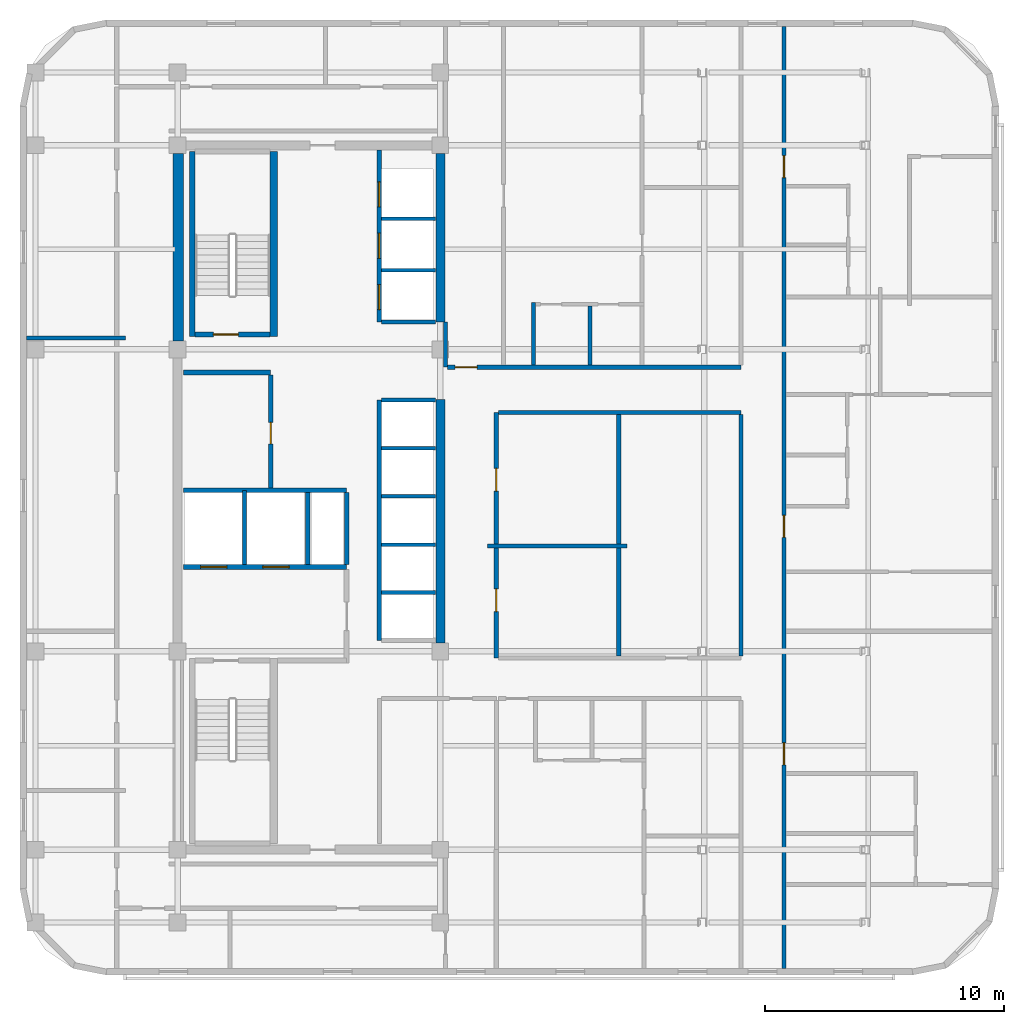
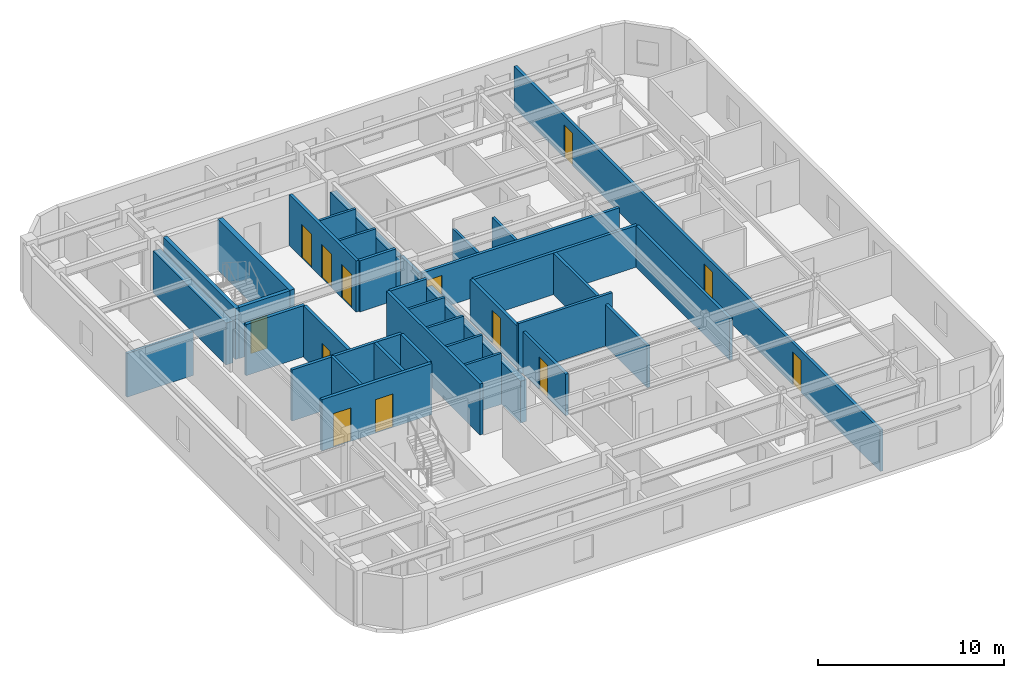
# One storey, part 4 of 10: 34 walls, 13 doors, 13 openings.
"""IFC4 building model written with IfcOpenShell, lengths in metres."""

from ifc_helpers import new_model, si_unit, direction, frame, frame_2d, origin, place, context, subcontext, project, spatial, rectangle, extrude, material, layer, layer_set, type_object, element, fill, save


model = new_model("IFC4")

# Units and contexts
model_context = context("Model", 3, precision=1e-05, world=origin(), true_north=direction((0.0, 1.0)))
body_context = subcontext(model_context, "Body", "Model", "MODEL_VIEW")
ifc_project = project(units=[si_unit("LENGTHUNIT", "METRE"), si_unit("AREAUNIT", "SQUARE_METRE"), si_unit("VOLUMEUNIT", "CUBIC_METRE"), si_unit("PLANEANGLEUNIT", "RADIAN"), si_unit("MASSUNIT", "GRAM", prefix="KILO")], contexts=[model_context])

# Site, building, storey
site_placement = place(None, origin())
site = spatial("IfcSite", under=ifc_project, at=site_placement, CompositionType="ELEMENT")
building_placement = place(site_placement, origin())
building = spatial("IfcBuilding", under=site, at=building_placement, Name="Ochreholt Gables", CompositionType="ELEMENT")
storey_placement = place(building_placement, frame((0.0, 0.0, 177.60009765625)))
storey = spatial("IfcBuildingStorey", under=building, at=storey_placement, Name="L46", CompositionType="ELEMENT", Elevation=177.60009765625)

# Walls
ifc_material_1 = material(Name="Concrete 50 MPa", Category="concrete")
ifc_layer_1 = layer(ifc_material_1, 0.3798828125, Name="Concrete 50 MPa")
ifc_layer_set_1 = layer_set([ifc_layer_1], Name="Concrete 50 MPa")
wall_type_1 = type_object("IfcWallType", Name="WALL-CSW-380", PredefinedType="SHEAR", material=ifc_layer_set_1)
wall_1_placement = place(storey_placement, frame((35.2099609375, 17.89990234375, 0.0), z_axis=(0.0, 0.0, 1.0), x_axis=(0.0, 1.0, 0.0)))
element("IfcWall", 1, at=wall_1_placement, inside=storey, type_object=wall_type_1, Name="L46 Core Central-East Shear Wall", PredefinedType="SHEAR", context=body_context, shape_type="SweptSolid", body=[
    extrude(rectangle(XDim=10.2001953125, YDim=0.3798828125, at=frame_2d((5.10009765625, 0.0))), origin(), (0.0, 0.0, 1.0), 2.747802734375),
])
wall_2_placement = place(storey_placement, frame((35.2099609375, 31.35009765625, 0.0), z_axis=(0.0, 0.0, 1.0), x_axis=(0.0, 1.0, 0.0)))
element("IfcWall", 2, at=wall_2_placement, inside=storey, type_object=wall_type_1, Name="L46 Core North-East Shear Wall", PredefinedType="SHEAR", context=body_context, shape_type="SweptSolid", body=[
    extrude(rectangle(XDim=7.0498046875, YDim=0.3798828125, at=frame_2d((3.52490234375, 0.0))), origin(), (0.0, 0.0, 1.0), 2.747802734375),
])
ifc_material_2 = material(Name="Concrete 60 MPa", Category="concrete")
ifc_layer_2 = layer(ifc_material_2, 0.449951171875, Name="Concrete 60 MPa")
ifc_layer_set_2 = layer_set([ifc_layer_2], Name="Concrete 60 MPa")
wall_type_2 = type_object("IfcWallType", Name="WALL-CSW-450", PredefinedType="SHEAR", material=ifc_layer_set_2)
wall_3_placement = place(storey_placement, frame((24.22509765625, 30.550048828125, 0.0), z_axis=(0.0, 0.0, 1.0), x_axis=(0.0, 1.0, 0.0)))
element("IfcWall", 3, at=wall_3_placement, inside=storey, type_object=wall_type_2, Name="L46 Core West Shear Wall WN", PredefinedType="SHEAR", context=body_context, shape_type="SweptSolid", body=[
    extrude(rectangle(XDim=7.849853515625, YDim=0.449951171875, at=frame_2d((3.9248046875, 0.0))), origin(), (0.0, 0.0, 1.0), 2.747802734375),
])

# Wall, openings, doors
ifc_material_3 = material(Name="Concrete 40 MPa", Category="concrete")
ifc_layer_3 = layer(ifc_material_3, 0.199951171875, Name="Concrete 40 MPa")
ifc_layer_set_3 = layer_set([ifc_layer_3], Name="Concrete 40 MPa")
wall_type_3 = type_object("IfcWallType", Name="WALL-INT-CF200", PredefinedType="STANDARD", material=ifc_layer_set_3)
wall_4_placement = place(storey_placement, frame((24.449951171875, 21.090087890625, 0.0), z_axis=(0.0, 0.0, 1.0), x_axis=(1.0, 0.0, 0.0)))
wall_4 = element("IfcWall", 4, at=wall_4_placement, inside=storey, type_object=wall_type_3, Name="L46 Interior Wall WI-FFN-L46", PredefinedType="STANDARD", context=body_context, shape_type="SweptSolid", body=[
    extrude(rectangle(XDim=6.830078125, YDim=0.199951171875, at=frame_2d((3.4150390625, 0.0))), origin(), (0.0, 0.0, 1.0), 3.35986328125),
])
opening_1_placement = place(wall_4_placement, frame((0.719970703125, 0.0, 0.0)))
opening_1 = element("IfcOpeningElement", 5, at=opening_1_placement, cuts=wall_4, Name="Opening LD-FF", PredefinedType="OPENING", context=body_context, shape_type="SweptSolid", body=[
    extrude(rectangle(XDim=1.10009765625, YDim=2.199951171875, at=frame_2d((0.550048828125, 1.10009765625))), frame((0.0, 0.10986328125, 0.0), z_axis=(0.0, -1.0, 0.0), x_axis=(1.0, 0.0, 0.0)), (0.0, 0.0, 1.0), 0.219970703125),
])
opening_2_placement = place(wall_4_placement, frame((3.320068359375, 0.0, 0.0)))
opening_2 = element("IfcOpeningElement", 6, at=opening_2_placement, cuts=wall_4, Name="Opening LD-FF", PredefinedType="OPENING", context=body_context, shape_type="SweptSolid", body=[
    extrude(rectangle(XDim=1.10009765625, YDim=2.199951171875, at=frame_2d((0.550048828125, 1.10009765625))), frame((0.0, 0.10986328125, 0.0), z_axis=(0.0, -1.0, 0.0), x_axis=(1.0, 0.0, 0.0)), (0.0, 0.0, 1.0), 0.219970703125),
])
ifc_material_4 = material(Name="Stainless Steel", Category="steel")
door_type_1 = type_object("IfcDoorType", Name="DR-LFT-FF1100", OperationType="NOTDEFINED", PredefinedType="DOOR", material=ifc_material_4)
door_1_placement = place(opening_1_placement, origin())
door_1 = element("IfcDoor", 7, at=door_1_placement, inside=storey, type_object=door_type_1, Name="L46 Door LD-FF1-L46", OperationType="SLIDING_TO_LEFT", OverallHeight=2.199951171875, OverallWidth=1.10009765625, PredefinedType="DOOR", context=body_context, shape_type="SweptSolid", body=[
    extrude(rectangle(XDim=1.10009765625, YDim=2.199951171875, at=frame_2d((0.550048828125, 1.10009765625))), frame((0.0, 0.02490234375, 0.0), z_axis=(0.0, -1.0, 0.0), x_axis=(1.0, 0.0, 0.0)), (0.0, 0.0, 1.0), 0.050048828125),
])
fill(opening_1, door_1)
door_2_placement = place(opening_2_placement, origin())
door_2 = element("IfcDoor", 8, at=door_2_placement, inside=storey, type_object=door_type_1, Name="L46 Door LD-FF2-L46", OperationType="SLIDING_TO_LEFT", OverallHeight=2.199951171875, OverallWidth=1.10009765625, PredefinedType="DOOR", context=body_context, shape_type="SweptSolid", body=[
    extrude(rectangle(XDim=1.10009765625, YDim=2.199951171875, at=frame_2d((0.550048828125, 1.10009765625))), frame((0.0, 0.02490234375, 0.0), z_axis=(0.0, -1.0, 0.0), x_axis=(1.0, 0.0, 0.0)), (0.0, 0.0, 1.0), 0.050048828125),
])
fill(opening_2, door_2)

# Wall
wall_5_placement = place(storey_placement, frame((24.449951171875, 29.239990234375, 0.0), z_axis=(0.0, 0.0, 1.0), x_axis=(1.0, 0.0, 0.0)))
element("IfcWall", 9, at=wall_5_placement, inside=storey, type_object=wall_type_3, Name="L46 Interior Wall WI-SRVN-L46", PredefinedType="STANDARD", context=body_context, shape_type="SweptSolid", body=[
    extrude(rectangle(XDim=3.650146484375, YDim=0.199951171875, at=frame_2d((1.8251953125, 0.0))), origin(), (0.0, 0.0, 1.0), 3.35986328125),
])

# Wall, opening, door
wall_6_placement = place(storey_placement, frame((28.10009765625, 24.389892578125, 0.0), z_axis=(0.0, 0.0, 1.0), x_axis=(0.0, 1.0, 0.0)))
wall_6 = element("IfcWall", 10, at=wall_6_placement, inside=storey, type_object=wall_type_3, Name="L46 Interior Wall WI-SRVE-L46", PredefinedType="STANDARD", context=body_context, shape_type="SweptSolid", body=[
    extrude(rectangle(XDim=4.75, YDim=0.199951171875, at=frame_2d((2.375, 0.0))), origin(), (0.0, 0.0, 1.0), 3.35986328125),
])
opening_3_placement = place(wall_6_placement, frame((1.860107421875, 0.0, 0.0)))
opening_3 = element("IfcOpeningElement", 11, at=opening_3_placement, cuts=wall_6, Name="Opening D-SV1", PredefinedType="OPENING", context=body_context, shape_type="SweptSolid", body=[
    extrude(rectangle(XDim=0.89990234375, YDim=2.10009765625, at=frame_2d((0.449951171875, 1.050048828125))), frame((0.0, 0.10986328125, 0.0), z_axis=(0.0, -1.0, 0.0), x_axis=(1.0, 0.0, 0.0)), (0.0, 0.0, 1.0), 0.219970703125),
])
ifc_material_5 = material(Name="Hollow Metal Steel", Category="steel")
door_type_2 = type_object("IfcDoorType", Name="DR-INT-SRV900", OperationType="NOTDEFINED", PredefinedType="DOOR", material=ifc_material_5)
door_3_placement = place(opening_3_placement, origin())
door_3 = element("IfcDoor", 12, at=door_3_placement, inside=storey, type_object=door_type_2, Name="L46 Door D-SRV1-L46", OperationType="SINGLE_SWING_LEFT", OverallHeight=2.10009765625, OverallWidth=0.89990234375, PredefinedType="DOOR", context=body_context, shape_type="SweptSolid", body=[
    extrude(rectangle(XDim=0.89990234375, YDim=2.10009765625, at=frame_2d((0.449951171875, 1.050048828125))), frame((0.0, 0.02490234375, 0.0), z_axis=(0.0, -1.0, 0.0), x_axis=(1.0, 0.0, 0.0)), (0.0, 0.0, 1.0), 0.050048828125),
])
fill(opening_3, door_3)

# Wall, openings, doors
ifc_material_6 = material(Name="Fire-Rated Gypsum Acoustic Partition", Category="gypsum")
ifc_layer_4 = layer(ifc_material_6, 0.179931640625, Name="Fire-Rated Gypsum Acoustic Partition")
ifc_layer_set_4 = layer_set([ifc_layer_4], Name="Fire-Rated Gypsum Acoustic Partition")
wall_type_4 = type_object("IfcWallType", Name="WALL-INT-CR180", PredefinedType="STANDARD", material=ifc_layer_set_4)
wall_7_placement = place(storey_placement, frame((37.550048828125, 17.280029296875, 0.0), z_axis=(0.0, 0.0, 1.0), x_axis=(0.0, 1.0, 0.0)))
wall_7 = element("IfcWall", 13, at=wall_7_placement, inside=storey, type_object=wall_type_4, Name="L46 Interior Wall WI-C2EM-L46", PredefinedType="STANDARD", context=body_context, shape_type="SweptSolid", body=[
    extrude(rectangle(XDim=10.280029296875, YDim=0.179931640625, at=frame_2d((5.14013671875, 0.0))), origin(), (0.0, 0.0, 1.0), 2.72998046875),
])
opening_4_placement = place(wall_7_placement, frame((1.93994140625, 0.0, 0.0)))
opening_4 = element("IfcOpeningElement", 14, at=opening_4_placement, cuts=wall_7, Name="Opening D-GN1", PredefinedType="OPENING", context=body_context, shape_type="SweptSolid", body=[
    extrude(rectangle(XDim=0.949951171875, YDim=2.14990234375, at=frame_2d((0.47509765625, 1.074951171875))), frame((0.0, 0.099853515625, 0.0), z_axis=(0.0, -1.0, 0.0), x_axis=(1.0, 0.0, 0.0)), (0.0, 0.0, 1.0), 0.199951171875),
])
opening_5_placement = place(wall_7_placement, frame((6.989990234375, 0.0, 0.0)))
opening_5 = element("IfcOpeningElement", 15, at=opening_5_placement, cuts=wall_7, Name="Opening D-GN1", PredefinedType="OPENING", context=body_context, shape_type="SweptSolid", body=[
    extrude(rectangle(XDim=0.949951171875, YDim=2.14990234375, at=frame_2d((0.47509765625, 1.074951171875))), frame((0.0, 0.099853515625, 0.0), z_axis=(0.0, -1.0, 0.0), x_axis=(1.0, 0.0, 0.0)), (0.0, 0.0, 1.0), 0.199951171875),
])
ifc_material_7 = material(Name="Engineered Oak Timber", Category="wood")
door_type_3 = type_object("IfcDoorType", Name="DR-INT-GEN950", OperationType="NOTDEFINED", PredefinedType="DOOR", material=ifc_material_7)
door_4_placement = place(opening_4_placement, origin())
door_4 = element("IfcDoor", 16, at=door_4_placement, inside=storey, type_object=door_type_3, Name="L46 Door D-U-L46M1A-ENT", OperationType="SINGLE_SWING_RIGHT", OverallHeight=2.14990234375, OverallWidth=0.949951171875, PredefinedType="DOOR", context=body_context, shape_type="SweptSolid", body=[
    extrude(rectangle(XDim=0.949951171875, YDim=2.14990234375, at=frame_2d((0.47509765625, 1.074951171875))), frame((0.0, 0.02490234375, 0.0), z_axis=(0.0, -1.0, 0.0), x_axis=(1.0, 0.0, 0.0)), (0.0, 0.0, 1.0), 0.050048828125),
])
fill(opening_4, door_4)
door_5_placement = place(opening_5_placement, origin())
door_5 = element("IfcDoor", 17, at=door_5_placement, inside=storey, type_object=door_type_3, Name="L46 Door D-U-L46M1B-ENT", OperationType="SINGLE_SWING_LEFT", OverallHeight=2.14990234375, OverallWidth=0.949951171875, PredefinedType="DOOR", context=body_context, shape_type="SweptSolid", body=[
    extrude(rectangle(XDim=0.949951171875, YDim=2.14990234375, at=frame_2d((0.47509765625, 1.074951171875))), frame((0.0, 0.02490234375, 0.0), z_axis=(0.0, -1.0, 0.0), x_axis=(1.0, 0.0, 0.0)), (0.0, 0.0, 1.0), 0.050048828125),
])
fill(opening_5, door_5)

# Walls
wall_8_placement = place(storey_placement, frame((37.639892578125, 27.56005859375, 0.0), z_axis=(0.0, 0.0, 1.0), x_axis=(1.0, 0.0, 0.0)))
element("IfcWall", 18, at=wall_8_placement, inside=storey, type_object=wall_type_4, Name="L46 Interior Wall WI-C2SN1-L46", PredefinedType="STANDARD", context=body_context, shape_type="SweptSolid", body=[
    extrude(rectangle(XDim=10.16015625, YDim=0.179931640625, at=frame_2d((5.080078125, 0.0))), origin(), (0.0, 0.0, 1.0), 2.72998046875),
])
wall_9_placement = place(storey_placement, frame((35.419921875, 29.4599609375, 0.0), z_axis=(0.0, 0.0, 1.0), x_axis=(0.0, 1.0, 0.0)))
element("IfcWall", 19, at=wall_9_placement, inside=storey, type_object=wall_type_4, Name="L46 Interior Wall WI-C2NCL-L46", PredefinedType="STANDARD", context=body_context, shape_type="SweptSolid", body=[
    extrude(rectangle(XDim=1.89013671875, YDim=0.179931640625, at=frame_2d((0.945068359375, 0.0))), origin(), (0.0, 0.0, 1.0), 2.72998046875),
])

# Wall, opening, door
wall_10_placement = place(storey_placement, frame((35.510009765625, 29.4599609375, 0.0), z_axis=(0.0, 0.0, 1.0), x_axis=(1.0, 0.0, 0.0)))
wall_10 = element("IfcWall", 20, at=wall_10_placement, inside=storey, type_object=wall_type_4, Name="L46 Interior Wall WI-C2SN2-L46", PredefinedType="STANDARD", context=body_context, shape_type="SweptSolid", body=[
    extrude(rectangle(XDim=12.2900390625, YDim=0.179931640625, at=frame_2d((6.14501953125, 0.0))), origin(), (0.0, 0.0, 1.0), 2.72998046875),
])
opening_6_placement = place(wall_10_placement, frame((0.320068359375, 0.0, 0.0)))
opening_6 = element("IfcOpeningElement", 21, at=opening_6_placement, cuts=wall_10, Name="Opening D-UN1", PredefinedType="OPENING", context=body_context, shape_type="SweptSolid", body=[
    extrude(rectangle(XDim=0.919921875, YDim=2.14990234375, at=frame_2d((0.4599609375, 1.074951171875))), frame((0.0, 0.099853515625, 0.0), z_axis=(0.0, -1.0, 0.0), x_axis=(1.0, 0.0, 0.0)), (0.0, 0.0, 1.0), 0.199951171875),
])
door_type_4 = type_object("IfcDoorType", Name="DR-INT-UNT920", OperationType="NOTDEFINED", PredefinedType="DOOR", material=ifc_material_7)
door_6_placement = place(opening_6_placement, origin())
door_6 = element("IfcDoor", 22, at=door_6_placement, inside=storey, type_object=door_type_4, Name="L46 Door D-U-L46N1-ENT", OperationType="SINGLE_SWING_LEFT", OverallHeight=2.14990234375, OverallWidth=0.919921875, PredefinedType="DOOR", context=body_context, shape_type="SweptSolid", body=[
    extrude(rectangle(XDim=0.919921875, YDim=2.14990234375, at=frame_2d((0.4599609375, 1.074951171875))), frame((0.0, 0.02490234375, 0.0), z_axis=(0.0, -1.0, 0.0), x_axis=(1.0, 0.0, 0.0)), (0.0, 0.0, 1.0), 0.050048828125),
])
fill(opening_6, door_6)

# Wall, openings, doors
wall_11_placement = place(storey_placement, frame((49.60009765625, 4.280029296875, 0.0), z_axis=(0.0, 0.0, 1.0), x_axis=(0.0, 1.0, 0.0)))
wall_11 = element("IfcWall", 23, at=wall_11_placement, inside=storey, type_object=wall_type_4, Name="L46 Interior Wall WI-C2FEG-L46", PredefinedType="STANDARD", context=body_context, shape_type="SweptSolid", body=[
    extrude(rectangle(XDim=39.43994140625, YDim=0.179931640625, at=frame_2d((19.719970703125, 0.0))), origin(), (0.0, 0.0, 1.0), 2.72998046875),
])
opening_7_placement = place(wall_11_placement, frame((8.52001953125, 0.0, 0.0)))
opening_7 = element("IfcOpeningElement", 24, at=opening_7_placement, cuts=wall_11, Name="Opening D-UN1", PredefinedType="OPENING", context=body_context, shape_type="SweptSolid", body=[
    extrude(rectangle(XDim=0.919921875, YDim=2.14990234375, at=frame_2d((0.4599609375, 1.074951171875))), frame((0.0, 0.099853515625, 0.0), z_axis=(0.0, -1.0, 0.0), x_axis=(1.0, 0.0, 0.0)), (0.0, 0.0, 1.0), 0.199951171875),
])
opening_8_placement = place(wall_11_placement, frame((18.051513671875, 0.0, 0.0)))
opening_8 = element("IfcOpeningElement", 25, at=opening_8_placement, cuts=wall_11, Name="Opening D-UN1", PredefinedType="OPENING", context=body_context, shape_type="SweptSolid", body=[
    extrude(rectangle(XDim=0.919921875, YDim=2.14990234375, at=frame_2d((0.4599609375, 1.074951171875))), frame((0.0, 0.099853515625, 0.0), z_axis=(0.0, -1.0, 0.0), x_axis=(1.0, 0.0, 0.0)), (0.0, 0.0, 1.0), 0.199951171875),
])
opening_9_placement = place(wall_11_placement, frame((33.1201171875, 0.0, 0.0)))
opening_9 = element("IfcOpeningElement", 26, at=opening_9_placement, cuts=wall_11, Name="Opening D-UN1", PredefinedType="OPENING", context=body_context, shape_type="SweptSolid", body=[
    extrude(rectangle(XDim=0.919921875, YDim=2.14990234375, at=frame_2d((0.4599609375, 1.074951171875))), frame((0.0, 0.099853515625, 0.0), z_axis=(0.0, -1.0, 0.0), x_axis=(1.0, 0.0, 0.0)), (0.0, 0.0, 1.0), 0.199951171875),
])
door_7_placement = place(opening_7_placement, origin())
door_7 = element("IfcDoor", 27, at=door_7_placement, inside=storey, type_object=door_type_4, Name="L46 Door D-U-L46FE1-ENT", OperationType="SINGLE_SWING_RIGHT", OverallHeight=2.14990234375, OverallWidth=0.919921875, PredefinedType="DOOR", context=body_context, shape_type="SweptSolid", body=[
    extrude(rectangle(XDim=0.919921875, YDim=2.14990234375, at=frame_2d((0.4599609375, 1.074951171875))), frame((0.0, 0.02490234375, 0.0), z_axis=(0.0, -1.0, 0.0), x_axis=(1.0, 0.0, 0.0)), (0.0, 0.0, 1.0), 0.050048828125),
])
fill(opening_7, door_7)
door_8_placement = place(opening_8_placement, origin())
door_8 = element("IfcDoor", 28, at=door_8_placement, inside=storey, type_object=door_type_4, Name="L46 Door D-U-L46FE2-ENT", OperationType="SINGLE_SWING_LEFT", OverallHeight=2.14990234375, OverallWidth=0.919921875, PredefinedType="DOOR", context=body_context, shape_type="SweptSolid", body=[
    extrude(rectangle(XDim=0.919921875, YDim=2.14990234375, at=frame_2d((0.4599609375, 1.074951171875))), frame((0.0, 0.02490234375, 0.0), z_axis=(0.0, -1.0, 0.0), x_axis=(1.0, 0.0, 0.0)), (0.0, 0.0, 1.0), 0.050048828125),
])
fill(opening_8, door_8)
door_9_placement = place(opening_9_placement, origin())
door_9 = element("IfcDoor", 29, at=door_9_placement, inside=storey, type_object=door_type_4, Name="L46 Door D-U-L46FE3-ENT", OperationType="SINGLE_SWING_RIGHT", OverallHeight=2.14990234375, OverallWidth=0.919921875, PredefinedType="DOOR", context=body_context, shape_type="SweptSolid", body=[
    extrude(rectangle(XDim=0.919921875, YDim=2.14990234375, at=frame_2d((0.4599609375, 1.074951171875))), frame((0.0, 0.02490234375, 0.0), z_axis=(0.0, -1.0, 0.0), x_axis=(1.0, 0.0, 0.0)), (0.0, 0.0, 1.0), 0.050048828125),
])
fill(opening_9, door_9)

# Walls
wall_12_placement = place(storey_placement, frame((47.800048828125, 17.3701171875, 0.0), z_axis=(0.0, 0.0, 1.0), x_axis=(0.0, 1.0, 0.0)))
element("IfcWall", 30, at=wall_12_placement, inside=storey, type_object=wall_type_4, Name="L46 Interior Wall WI-C2FEGW2-L46", PredefinedType="STANDARD", context=body_context, shape_type="SweptSolid", body=[
    extrude(rectangle(XDim=10.099853515625, YDim=0.179931640625, at=frame_2d((5.0498046875, 0.0))), origin(), (0.0, 0.0, 1.0), 2.72998046875),
])
ifc_material_8 = material(Name="Double-Stud Acoustic Demising Wall", Category="gypsum")
ifc_layer_5 = layer(ifc_material_8, 0.179931640625, Name="Double-Stud Acoustic Demising Wall")
ifc_layer_set_5 = layer_set([ifc_layer_5], Name="Double-Stud Acoustic Demising Wall")
wall_type_5 = type_object("IfcWallType", Name="WALL-INT-DM180", PredefinedType="PARTITIONING", material=ifc_layer_set_5)
wall_13_placement = place(storey_placement, frame((42.675048828125, 17.3701171875, 0.0), z_axis=(0.0, 0.0, 1.0), x_axis=(0.0, 1.0, 0.0)))
element("IfcWall", 31, at=wall_13_placement, inside=storey, type_object=wall_type_5, Name="L46 Interior Wall WI-C2UDM-L46", PredefinedType="PARTITIONING", context=body_context, shape_type="SweptSolid", body=[
    extrude(rectangle(XDim=10.099853515625, YDim=0.179931640625, at=frame_2d((5.0498046875, 0.0))), origin(), (0.0, 0.0, 1.0), 2.72998046875),
])
ifc_material_9 = material(Name="Moisture-Resistant Plumbing Chase Wall", Category="gypsum")
ifc_layer_6 = layer(ifc_material_9, 0.159912109375, Name="Moisture-Resistant Plumbing Chase Wall")
ifc_layer_set_6 = layer_set([ifc_layer_6], Name="Moisture-Resistant Plumbing Chase Wall")
wall_type_6 = type_object("IfcWallType", Name="WALL-INT-PL160", PredefinedType="PLUMBINGWALL", material=ifc_layer_set_6)
wall_14_placement = place(storey_placement, frame((39.110107421875, 29.550048828125, 0.0), z_axis=(0.0, 0.0, 1.0), x_axis=(0.0, 1.0, 0.0)))
element("IfcWall", 32, at=wall_14_placement, inside=storey, type_object=wall_type_6, Name="L46 Interior Wall WU-L46N1-FY", PredefinedType="PLUMBINGWALL", context=body_context, shape_type="SweptSolid", body=[
    extrude(rectangle(XDim=2.625, YDim=0.159912109375, at=frame_2d((1.3125, 0.0))), origin(), (0.0, 0.0, 1.0), 2.72998046875),
])
wall_15_placement = place(storey_placement, frame((41.47607421875, 29.550048828125, 0.0), z_axis=(0.0, 0.0, 1.0), x_axis=(0.0, 1.0, 0.0)))
element("IfcWall", 33, at=wall_15_placement, inside=storey, type_object=wall_type_6, Name="L46 Interior Wall WU-L46N1-WK", PredefinedType="PLUMBINGWALL", context=body_context, shape_type="SweptSolid", body=[
    extrude(rectangle(XDim=2.46484375, YDim=0.159912109375, at=frame_2d((1.232421875, 0.0))), origin(), (0.0, 0.0, 1.0), 2.72998046875),
])
ifc_material_10 = material(Name="Gypsum Acoustic Stud Partition", Category="gypsum")
ifc_layer_7 = layer(ifc_material_10, 0.1650390625, Name="Gypsum Acoustic Stud Partition")
ifc_layer_set_7 = layer_set([ifc_layer_7], Name="Gypsum Acoustic Stud Partition")
wall_type_7 = type_object("IfcWallType", Name="WALL-INT-PT165", PredefinedType="PARTITIONING", material=ifc_layer_set_7)
wall_16_placement = place(storey_placement, frame((37.18994140625, 21.969970703125, 0.0), z_axis=(0.0, 0.0, 1.0), x_axis=(1.0, 0.0, 0.0)))
element("IfcWall", 34, at=wall_16_placement, inside=storey, type_object=wall_type_7, Name="L46 Interior Wall WU-L46M1-SDV", PredefinedType="PARTITIONING", context=body_context, shape_type="SweptSolid", body=[
    extrude(rectangle(XDim=5.844970703125, YDim=0.1650390625, at=frame_2d((2.92236328125, 0.0))), origin(), (0.0, 0.0, 1.0), 3.35986328125),
])
wall_17_placement = place(storey_placement, frame((17.8798828125, 30.675048828125, 0.0), z_axis=(0.0, 0.0, 1.0), x_axis=(1.0, 0.0, 0.0)))
element("IfcWall", 35, at=wall_17_placement, inside=storey, type_object=wall_type_7, Name="L46 Interior Wall WU-L46W2-SDV", PredefinedType="PARTITIONING", context=body_context, shape_type="SweptSolid", body=[
    extrude(rectangle(XDim=4.130126953125, YDim=0.1650390625, at=frame_2d((2.06494140625, 0.0))), origin(), (0.0, 0.0, 1.0), 2.87890625),
])
ifc_material_11 = material(Name="Gypsum Shaftliner and Steel Stud", Category="steel")
ifc_layer_8 = layer(ifc_material_11, 0.14990234375, Name="Gypsum Shaftliner and Steel Stud")
ifc_layer_set_8 = layer_set([ifc_layer_8], Name="Gypsum Shaftliner and Steel Stud")
wall_type_8 = type_object("IfcWallType", Name="WALL-INT-SH150", PredefinedType="STANDARD", material=ifc_layer_set_8)
for number, where, z_axis, x_axis, name in (
    (36, (32.739990234375, 20.02001953125, 0.0), (0.0, 0.0, 1.0), (1.0, 0.0, 0.0), "L46 Interior Wall WI-LFHE-DH1-L46"),
    (37, (32.739990234375, 22.02001953125, 0.0), (0.0, 0.0, 1.0), (1.0, 0.0, 0.0), "L46 Interior Wall WI-LFHE-DH2-L46"),
    (38, (32.739990234375, 24.050048828125, 0.0), (0.0, 0.0, 1.0), (1.0, 0.0, 0.0), "L46 Interior Wall WI-LFHE-DHE-L46"),
    (39, (32.739990234375, 26.070068359375, 0.0), (0.0, 0.0, 1.0), (1.0, 0.0, 0.0), "L46 Interior Wall WI-LFHE-DEX1-L46"),
    (40, (32.739990234375, 33.52001953125, 0.0), (0.0, 0.0, 1.0), (1.0, 0.0, 0.0), "L46 Interior Wall WI-LFM-D1-L46"),
    (41, (32.739990234375, 35.669921875, 0.0), (0.0, 0.0, 1.0), (1.0, 0.0, 0.0), "L46 Interior Wall WI-LFM-D2-L46"),
):
    element("IfcWall", number, at=place(storey_placement, frame(where, z_axis=z_axis, x_axis=x_axis)), inside=storey, type_object=wall_type_8, Name=name, PredefinedType="STANDARD", context=body_context, shape_type="SweptSolid", body=[
        extrude(rectangle(XDim=2.260009765625, YDim=0.14990234375, at=frame_2d((1.1298828125, 0.0))), origin(), (0.0, 0.0, 1.0), 3.35986328125),
    ])
ifc_layer_9 = layer(ifc_material_11, 0.179931640625, Name="Gypsum Shaftliner and Steel Stud")
ifc_layer_set_9 = layer_set([ifc_layer_9], Name="Gypsum Shaftliner and Steel Stud")
wall_type_9 = type_object("IfcWallType", Name="WALL-INT-SH180", PredefinedType="STANDARD", material=ifc_layer_set_9)
wall_18_placement = place(storey_placement, frame((27.0, 21.18994140625, 0.0), z_axis=(0.0, 0.0, 1.0), x_axis=(0.0, 1.0, 0.0)))
element("IfcWall", 42, at=wall_18_placement, inside=storey, type_object=wall_type_9, Name="L46 Interior Wall WI-FFDIV-L46", PredefinedType="STANDARD", context=body_context, shape_type="SweptSolid", body=[
    extrude(rectangle(XDim=3.110107421875, YDim=0.179931640625, at=frame_2d((1.55517578125, 0.0))), origin(), (0.0, 0.0, 1.0), 3.35986328125),
])
wall_19_placement = place(storey_placement, frame((24.449951171875, 24.300048828125, 0.0), z_axis=(0.0, 0.0, 1.0), x_axis=(1.0, 0.0, 0.0)))
element("IfcWall", 43, at=wall_19_placement, inside=storey, type_object=wall_type_9, Name="L46 Interior Wall WI-FFBK-L46", PredefinedType="STANDARD", context=body_context, shape_type="SweptSolid", body=[
    extrude(rectangle(XDim=6.830078125, YDim=0.179931640625, at=frame_2d((3.4150390625, 0.0))), origin(), (0.0, 0.0, 1.0), 3.35986328125),
])
for number, where, z_axis, x_axis, name in (
    (44, (29.64990234375, 21.18994140625, 0.0), (0.0, 0.0, 1.0), (0.0, 1.0, 0.0), "L46 Interior Wall WI-FFSH-L46"),
    (45, (31.280029296875, 21.18994140625, 0.0), (0.0, 0.0, 1.0), (0.0, 1.0, 0.0), "L46 Interior Wall WI-RSE-L46"),
):
    element("IfcWall", number, at=place(storey_placement, frame(where, z_axis=z_axis, x_axis=x_axis)), inside=storey, type_object=wall_type_9, Name=name, PredefinedType="STANDARD", context=body_context, shape_type="SweptSolid", body=[
        extrude(rectangle(XDim=3.02001953125, YDim=0.179931640625, at=frame_2d((1.510009765625, 0.0))), origin(), (0.0, 0.0, 1.0), 3.35986328125),
    ])
wall_20_placement = place(storey_placement, frame((32.64990234375, 18.02001953125, 0.0), z_axis=(0.0, 0.0, 1.0), x_axis=(0.0, 1.0, 0.0)))
element("IfcWall", 46, at=wall_20_placement, inside=storey, type_object=wall_type_9, Name="L46 Interior Wall WI-LFHE-FR-L46", PredefinedType="STANDARD", context=body_context, shape_type="SweptSolid", body=[
    extrude(rectangle(XDim=10.06005859375, YDim=0.179931640625, at=frame_2d((5.030029296875, 0.0))), origin(), (0.0, 0.0, 1.0), 3.35986328125),
])
wall_21_placement = place(storey_placement, frame((32.739990234375, 28.080078125, 0.0), z_axis=(0.0, 0.0, 1.0), x_axis=(1.0, 0.0, 0.0)))
element("IfcWall", 47, at=wall_21_placement, inside=storey, type_object=wall_type_9, Name="L46 Interior Wall WI-LFHE-N-L46", PredefinedType="STANDARD", context=body_context, shape_type="SweptSolid", body=[
    extrude(rectangle(XDim=2.260009765625, YDim=0.179931640625, at=frame_2d((1.1298828125, 0.0))), origin(), (0.0, 0.0, 1.0), 3.35986328125),
])

# Wall, openings, doors
wall_22_placement = place(storey_placement, frame((32.64990234375, 31.35009765625, 0.0), z_axis=(0.0, 0.0, 1.0), x_axis=(0.0, 1.0, 0.0)))
wall_22 = element("IfcWall", 48, at=wall_22_placement, inside=storey, type_object=wall_type_9, Name="L46 Interior Wall WI-LFM-FR-L46", PredefinedType="STANDARD", context=body_context, shape_type="SweptSolid", body=[
    extrude(rectangle(XDim=7.2099609375, YDim=0.179931640625, at=frame_2d((3.60498046875, 0.0))), origin(), (0.0, 0.0, 1.0), 3.35986328125),
])
opening_10_placement = place(wall_22_placement, frame((0.52001953125, 0.0, 0.0)))
opening_10 = element("IfcOpeningElement", 49, at=opening_10_placement, cuts=wall_22, Name="Opening LD-PX", PredefinedType="OPENING", context=body_context, shape_type="SweptSolid", body=[
    extrude(rectangle(XDim=1.050048828125, YDim=2.199951171875, at=frame_2d((0.52490234375, 1.10009765625))), frame((0.0, 0.099853515625, 0.0), z_axis=(0.0, -1.0, 0.0), x_axis=(1.0, 0.0, 0.0)), (0.0, 0.0, 1.0), 0.199951171875),
])
opening_11_placement = place(wall_22_placement, frame((2.669921875, 0.0, 0.0)))
opening_11 = element("IfcOpeningElement", 50, at=opening_11_placement, cuts=wall_22, Name="Opening LD-PX", PredefinedType="OPENING", context=body_context, shape_type="SweptSolid", body=[
    extrude(rectangle(XDim=1.050048828125, YDim=2.199951171875, at=frame_2d((0.52490234375, 1.10009765625))), frame((0.0, 0.099853515625, 0.0), z_axis=(0.0, -1.0, 0.0), x_axis=(1.0, 0.0, 0.0)), (0.0, 0.0, 1.0), 0.199951171875),
])
opening_12_placement = place(wall_22_placement, frame((4.820068359375, 0.0, 0.0)))
opening_12 = element("IfcOpeningElement", 51, at=opening_12_placement, cuts=wall_22, Name="Opening LD-PX", PredefinedType="OPENING", context=body_context, shape_type="SweptSolid", body=[
    extrude(rectangle(XDim=1.050048828125, YDim=2.199951171875, at=frame_2d((0.52490234375, 1.10009765625))), frame((0.0, 0.099853515625, 0.0), z_axis=(0.0, -1.0, 0.0), x_axis=(1.0, 0.0, 0.0)), (0.0, 0.0, 1.0), 0.199951171875),
])
door_type_5 = type_object("IfcDoorType", Name="DR-LFT-PX1050", OperationType="NOTDEFINED", PredefinedType="DOOR", material=ifc_material_4)
door_10_placement = place(opening_10_placement, origin())
door_10 = element("IfcDoor", 52, at=door_10_placement, inside=storey, type_object=door_type_5, Name="L46 Door LD-M1-L46", OperationType="SLIDING_TO_LEFT", OverallHeight=2.199951171875, OverallWidth=1.050048828125, PredefinedType="DOOR", context=body_context, shape_type="SweptSolid", body=[
    extrude(rectangle(XDim=1.050048828125, YDim=2.199951171875, at=frame_2d((0.52490234375, 1.10009765625))), frame((0.0, 0.02490234375, 0.0), z_axis=(0.0, -1.0, 0.0), x_axis=(1.0, 0.0, 0.0)), (0.0, 0.0, 1.0), 0.050048828125),
])
fill(opening_10, door_10)
door_11_placement = place(opening_11_placement, origin())
door_11 = element("IfcDoor", 53, at=door_11_placement, inside=storey, type_object=door_type_5, Name="L46 Door LD-M2-L46", OperationType="SLIDING_TO_LEFT", OverallHeight=2.199951171875, OverallWidth=1.050048828125, PredefinedType="DOOR", context=body_context, shape_type="SweptSolid", body=[
    extrude(rectangle(XDim=1.050048828125, YDim=2.199951171875, at=frame_2d((0.52490234375, 1.10009765625))), frame((0.0, 0.02490234375, 0.0), z_axis=(0.0, -1.0, 0.0), x_axis=(1.0, 0.0, 0.0)), (0.0, 0.0, 1.0), 0.050048828125),
])
fill(opening_11, door_11)
door_12_placement = place(opening_12_placement, origin())
door_12 = element("IfcDoor", 54, at=door_12_placement, inside=storey, type_object=door_type_5, Name="L46 Door LD-M3-L46", OperationType="SLIDING_TO_LEFT", OverallHeight=2.199951171875, OverallWidth=1.050048828125, PredefinedType="DOOR", context=body_context, shape_type="SweptSolid", body=[
    extrude(rectangle(XDim=1.050048828125, YDim=2.199951171875, at=frame_2d((0.52490234375, 1.10009765625))), frame((0.0, 0.02490234375, 0.0), z_axis=(0.0, -1.0, 0.0), x_axis=(1.0, 0.0, 0.0)), (0.0, 0.0, 1.0), 0.050048828125),
])
fill(opening_12, door_12)

# Walls
wall_23_placement = place(storey_placement, frame((32.739990234375, 31.35009765625, 0.0), z_axis=(0.0, 0.0, 1.0), x_axis=(1.0, 0.0, 0.0)))
element("IfcWall", 55, at=wall_23_placement, inside=storey, type_object=wall_type_9, Name="L46 Interior Wall WI-LFM-S-L46", PredefinedType="STANDARD", context=body_context, shape_type="SweptSolid", body=[
    extrude(rectangle(XDim=2.260009765625, YDim=0.179931640625, at=frame_2d((1.1298828125, 0.0))), origin(), (0.0, 0.0, 1.0), 3.35986328125),
])
ifc_layer_10 = layer(ifc_material_2, 0.300048828125, Name="Concrete 60 MPa")
ifc_layer_set_10 = layer_set([ifc_layer_10], Name="Concrete 60 MPa")
wall_type_10 = type_object("IfcWallType", Name="WALL-SPN-300", PredefinedType="SHEAR", material=ifc_layer_set_10)
wall_24_placement = place(storey_placement, frame((28.22998046875, 30.739990234375, 0.0), z_axis=(0.0, 0.0, 1.0), x_axis=(0.0, 1.0, 0.0)))
element("IfcWall", 56, at=wall_24_placement, inside=storey, type_object=wall_type_10, Name="L46 Core North Spine Shear Wall", PredefinedType="SHEAR", context=body_context, shape_type="SweptSolid", body=[
    extrude(rectangle(XDim=7.760009765625, YDim=0.300048828125, at=frame_2d((3.8798828125, 0.0))), origin(), (0.0, 0.0, 1.0), 3.35986328125),
])
ifc_layer_11 = layer(ifc_material_1, 0.219970703125, Name="Concrete 50 MPa")
ifc_layer_set_11 = layer_set([ifc_layer_11], Name="Concrete 50 MPa")
wall_type_11 = type_object("IfcWallType", Name="WALL-STW-220", PredefinedType="SHEAR", material=ifc_layer_set_11)
wall_25_placement = place(storey_placement, frame((24.81005859375, 30.739990234375, 0.0), z_axis=(0.0, 0.0, 1.0), x_axis=(0.0, 1.0, 0.0)))
element("IfcWall", 57, at=wall_25_placement, inside=storey, type_object=wall_type_11, Name="L46 Exit Stair 2 West Wall", PredefinedType="SHEAR", context=body_context, shape_type="SweptSolid", body=[
    extrude(rectangle(XDim=7.760009765625, YDim=0.219970703125, at=frame_2d((3.8798828125, 0.0))), origin(), (0.0, 0.0, 1.0), 3.35986328125),
])

# Wall, opening, door
wall_26_placement = place(storey_placement, frame((24.919921875, 30.830078125, 0.0), z_axis=(0.0, 0.0, 1.0), x_axis=(1.0, 0.0, 0.0)))
wall_26 = element("IfcWall", 58, at=wall_26_placement, inside=storey, type_object=wall_type_11, Name="L46 Exit Stair 2 South Wall", PredefinedType="SHEAR", context=body_context, shape_type="SweptSolid", body=[
    extrude(rectangle(XDim=3.16015625, YDim=0.219970703125, at=frame_2d((1.580078125, 0.0))), origin(), (0.0, 0.0, 1.0), 3.35986328125),
])
opening_13_placement = place(wall_26_placement, frame((0.780029296875, 0.0, 0.0)))
opening_13 = element("IfcOpeningElement", 59, at=opening_13_placement, cuts=wall_26, Name="Opening D-STC", PredefinedType="OPENING", context=body_context, shape_type="SweptSolid", body=[
    extrude(rectangle(XDim=1.050048828125, YDim=2.14990234375, at=frame_2d((0.52490234375, 1.074951171875))), frame((0.0, 0.119873046875, 0.0), z_axis=(0.0, -1.0, 0.0), x_axis=(1.0, 0.0, 0.0)), (0.0, 0.0, 1.0), 0.239990234375),
])
door_type_6 = type_object("IfcDoorType", Name="DR-INT-ST1050", OperationType="NOTDEFINED", PredefinedType="DOOR", material=ifc_material_5)
door_13_placement = place(opening_13_placement, origin())
door_13 = element("IfcDoor", 60, at=door_13_placement, inside=storey, type_object=door_type_6, Name="L46 Door D-ST2-L46", OperationType="SINGLE_SWING_RIGHT", OverallHeight=2.14990234375, OverallWidth=1.050048828125, PredefinedType="DOOR", context=body_context, shape_type="SweptSolid", body=[
    extrude(rectangle(XDim=1.050048828125, YDim=2.14990234375, at=frame_2d((0.52490234375, 1.074951171875))), frame((0.0, 0.02490234375, 0.0), z_axis=(0.0, -1.0, 0.0), x_axis=(1.0, 0.0, 0.0)), (0.0, 0.0, 1.0), 0.050048828125),
])
fill(opening_13, door_13)

save(model, "model.ifc")
